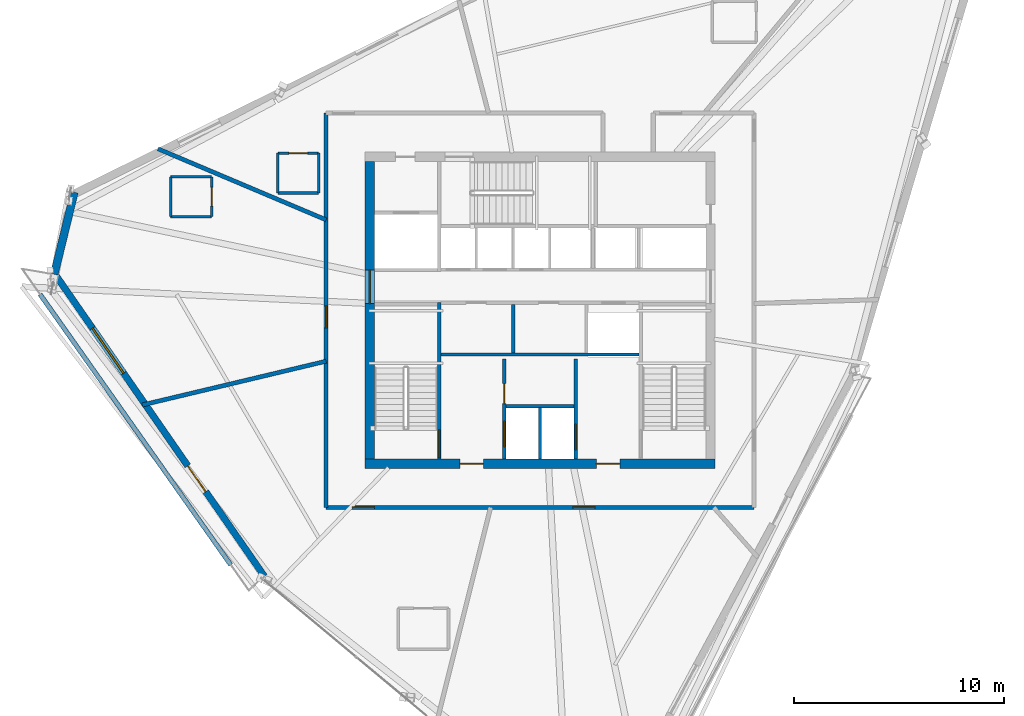
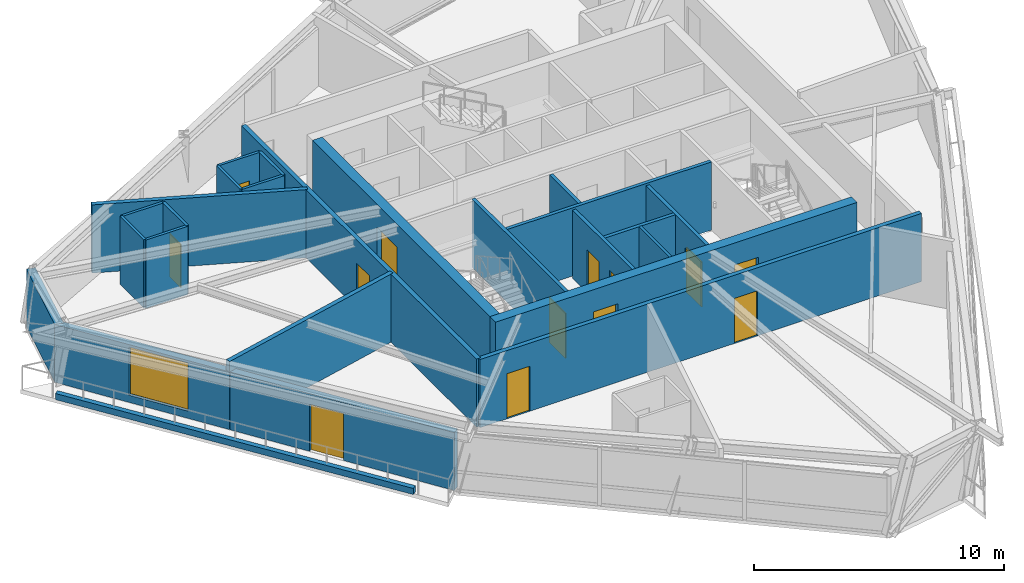
# One storey, part 9 of 14: 24 walls, 13 doors, 1 window, 14 openings.
"""IFC4 building model written with IfcOpenShell, lengths in metres."""

import ifcopenshell
import ifcopenshell.guid

model = None  # the IFC model being written
_history = None  # IfcOwnerHistory: only IFC2X3 demands one
_inside = {}  # id of a spatial element -> (the spatial element, [elements in it])
_under = {}  # id of a project, library or spatial element -> (it, [spatial elements below it])
_declared = {}  # id of a project -> (the project, [libraries it declares])
_typed = {}  # id of a type object -> (the type object, [elements of that type])
_made_of = {}  # id of a material, layer set ... -> (it, [elements and type objects made of it])


def new_model(schema):
    """Start an empty IFC model of exactly this schema.

    Asked for "IFC4X3", IfcOpenShell would pick the latest addendum, in which some entities
    have other attributes; the version numbers below select the first issue.
    IFC2X3 requires an IfcOwnerHistory on every rooted entity: one is made here for all.
    """
    global model, _history
    if schema == "IFC4X3":
        model = ifcopenshell.file(schema_version=(4, 3, 0, 0))
    else:
        model = ifcopenshell.file(schema=schema)
    _inside.clear()
    _under.clear()
    _declared.clear()
    _typed.clear()
    _made_of.clear()
    _history = None
    if model.schema == "IFC2X3":
        org = make("IfcOrganization", Name="unknown")
        user = make(
            "IfcPersonAndOrganization",
            ThePerson=make("IfcPerson", FamilyName="unknown"),
            TheOrganization=org,
        )
        app = make(
            "IfcApplication",
            ApplicationDeveloper=org,
            Version="unknown",
            ApplicationFullName="unknown",
            ApplicationIdentifier="unknown",
        )
        _history = make(
            "IfcOwnerHistory",
            OwningUser=user,
            OwningApplication=app,
            ChangeAction="ADDED",
            CreationDate=0,
        )
    return model


def make(cls, **values):
    """One entity of the class cls with the attributes given. An attribute that is None is left unset."""
    return model.create_entity(
        cls, **{name: value for name, value in values.items() if value is not None}
    )


def rooted(cls, **values):
    """An entity with a GlobalId (a new one), such as an element, a storey or a relation."""
    return make(cls, GlobalId=ifcopenshell.guid.new(), OwnerHistory=_history, **values)


def si_unit(unit_type, name, prefix=None):
    """IfcSIUnit, for example si_unit("LENGTHUNIT", "METRE", prefix="MILLI")."""
    return make("IfcSIUnit", UnitType=unit_type, Prefix=prefix, Name=name)


def assignment(units):
    """IfcUnitAssignment: the units of a project."""
    return None if units is None else make("IfcUnitAssignment", Units=units)


def point(xyz):
    """IfcCartesianPoint."""
    return None if xyz is None else make("IfcCartesianPoint", Coordinates=xyz)


def direction(xyz):
    """IfcDirection."""
    return None if xyz is None else make("IfcDirection", DirectionRatios=xyz)


def frame(location, z_axis=None, x_axis=None):
    """IfcAxis2Placement3D, a coordinate frame: its origin and axes. An axis left out is left unset."""
    return make(
        "IfcAxis2Placement3D",
        Location=point(location),
        Axis=direction(z_axis),
        RefDirection=direction(x_axis),
    )


def frame_2d(location, x_axis=None):
    """IfcAxis2Placement2D, a coordinate frame in the plane: its origin and x axis."""
    return make(
        "IfcAxis2Placement2D", Location=point(location), RefDirection=direction(x_axis)
    )


def origin():
    """The frame at (0, 0, 0) with its axes left unset."""
    return frame((0.0, 0.0, 0.0))


def place(relative_to, where):
    """IfcLocalPlacement: puts the frame where relative to a parent placement (None: the world)."""
    return make(
        "IfcLocalPlacement", PlacementRelTo=relative_to, RelativePlacement=where
    )


def context(
    kind, dimensions, precision=None, world=None, true_north=None, identifier=None
):
    """IfcGeometricRepresentationContext, for example the 3D "Model" context."""
    return make(
        "IfcGeometricRepresentationContext",
        ContextIdentifier=identifier,
        ContextType=kind,
        CoordinateSpaceDimension=dimensions,
        Precision=precision,
        WorldCoordinateSystem=world,
        TrueNorth=true_north,
    )


def subcontext(parent, identifier, kind, view, scale=None):
    """IfcGeometricRepresentationSubContext, for example "Body" below "Model"."""
    return make(
        "IfcGeometricRepresentationSubContext",
        ContextIdentifier=identifier,
        ContextType=kind,
        ParentContext=parent,
        TargetScale=scale,
        TargetView=view,
    )


def project(units=None, contexts=None):
    """IfcProject with its units and contexts."""
    return rooted(
        "IfcProject",
        Name="project",
        RepresentationContexts=contexts,
        UnitsInContext=assignment(units),
    )


def spatial(cls, under=None, at=None, **own):
    """A site, building, storey or space (cls), placed at a placement, below another one or the project."""
    s = rooted(cls, ObjectPlacement=at, **own)
    if under is not None:
        _under.setdefault(under.id(), (under, []))[1].append(s)
    return s


def profile(cls, at=None, kind="AREA", **sizes):
    """A parametric profile (cls). Its sizes go by their IFC names, for example OverallWidth=200.0."""
    return make(cls, ProfileType=kind, Position=at, **sizes)


def rectangle(**sizes):
    """IfcRectangleProfileDef."""
    return profile("IfcRectangleProfileDef", **sizes)


def extrude(swept, where, along, depth):
    """IfcExtrudedAreaSolid: the profile swept, set in the frame where, extruded along a direction by depth."""
    return make(
        "IfcExtrudedAreaSolid",
        SweptArea=swept,
        Position=where,
        ExtrudedDirection=direction(along),
        Depth=depth,
    )


def shape(context_of_items, identifier, shape_type, items):
    """IfcShapeRepresentation: the items that make up one representation, for example the "Body"."""
    return make(
        "IfcShapeRepresentation",
        ContextOfItems=context_of_items,
        RepresentationIdentifier=identifier,
        RepresentationType=shape_type,
        Items=items,
    )


def source(mapping_origin, context_of_items, identifier, shape_type, items):
    """IfcRepresentationMap: a shape defined once, which mapped items show again and again."""
    return make(
        "IfcRepresentationMap",
        MappingOrigin=mapping_origin,
        MappedRepresentation=shape(context_of_items, identifier, shape_type, items),
    )


def transform(
    local_origin,
    x_axis=None,
    y_axis=None,
    z_axis=None,
    scale=None,
    scale2=None,
    scale3=None,
    uniform=True,
):
    """IfcCartesianTransformationOperator3D, or its non-uniform kind. x_axis, y_axis, z_axis: its Axis1, 2, 3."""
    if uniform:
        return make(
            "IfcCartesianTransformationOperator3D",
            Axis1=direction(x_axis),
            Axis2=direction(y_axis),
            LocalOrigin=point(local_origin),
            Scale=scale,
            Axis3=direction(z_axis),
        )
    return make(
        "IfcCartesianTransformationOperator3DnonUniform",
        Axis1=direction(x_axis),
        Axis2=direction(y_axis),
        LocalOrigin=point(local_origin),
        Scale=scale,
        Axis3=direction(z_axis),
        Scale2=scale2,
        Scale3=scale3,
    )


def mapped(mapping_source, mapping_target):
    """IfcMappedItem: shows the shape of a source again, moved by a transform."""
    return make(
        "IfcMappedItem", MappingSource=mapping_source, MappingTarget=mapping_target
    )


def material(Name=None, Category=None):
    """IfcMaterial."""
    return make("IfcMaterial", Name=Name, Category=Category)


def layer(
    of_material, thickness, ventilated=None, Name=None, Category=None, Priority=None
):
    """IfcMaterialLayer: one layer of a wall or slab, of a material (None: an air gap)."""
    return make(
        "IfcMaterialLayer",
        Material=of_material,
        LayerThickness=thickness,
        IsVentilated=ventilated,
        Name=Name,
        Category=Category,
        Priority=Priority,
    )


def layer_set(layers, Name=None):
    """IfcMaterialLayerSet."""
    return make("IfcMaterialLayerSet", MaterialLayers=layers, LayerSetName=Name)


def made_of(thing, what):
    """Note that an element or type object is made of a material, layer set ...; save() writes the relation."""
    if what is not None:
        _made_of.setdefault(what.id(), (what, []))[1].append(thing)
    return thing


def type_object(cls, material=None, **own):
    """A type object (cls), such as IfcWallType, which elements share."""
    return made_of(rooted(cls, **own), material)


def type_shapes(of_type, sources):
    """Give a type object the sources (RepresentationMaps) that its elements show as mapped items."""
    of_type.RepresentationMaps = sources


def element(
    cls,
    number,
    at=None,
    inside=None,
    cuts=None,
    type_object=None,
    material=None,
    context=None,
    identifier="Body",
    shape_type=None,
    held_by="IfcProductDefinitionShape",
    body=None,
    shapes=None,
    **own,
):
    """One element of the class cls, such as IfcWall. Its Tag is "e" and its number.

    at: its placement. inside: the storey or other place that contains it. cuts: it is an
    opening in that element (IfcRelVoidsElement). A single representation is given by context,
    identifier, shape_type and body (its items); several are given by shapes. held_by: the class
    of the entity that holds the representations. save() writes the other relations.
    """
    e = rooted(cls, Tag="e%d" % number, ObjectPlacement=at, **own)
    if body is not None:
        shapes = [shape(context, identifier, shape_type, body)]
    if shapes is not None:
        e.Representation = make(held_by, Representations=shapes)
    if inside is not None:
        _inside.setdefault(inside.id(), (inside, []))[1].append(e)
    if cuts is not None:
        rooted(
            "IfcRelVoidsElement", RelatingBuildingElement=cuts, RelatedOpeningElement=e
        )
    if type_object is not None:
        _typed.setdefault(type_object.id(), (type_object, []))[1].append(e)
    return made_of(e, material)


def fill(opening, filler):
    """IfcRelFillsElement: the door or window that sits in an opening."""
    return rooted(
        "IfcRelFillsElement",
        RelatingOpeningElement=opening,
        RelatedBuildingElement=filler,
    )


def aggregate(whole, parts):
    """IfcRelAggregates: a whole, such as a stair, and the parts it consists of."""
    return rooted("IfcRelAggregates", RelatingObject=whole, RelatedObjects=parts)


def save(model, path):
    """Write the relations noted so far, then the file.

    IfcRelAggregates (storeys below a building ...), IfcRelContainedInSpatialStructure (elements
    in a storey), IfcRelDefinesByType, IfcRelAssociatesMaterial and IfcRelDeclares: one each for
    every whole, place, type object, material and project.
    """
    for whole, parts in _under.values():
        aggregate(whole, parts)
    for where, things in _inside.values():
        rooted(
            "IfcRelContainedInSpatialStructure",
            RelatedElements=things,
            RelatingStructure=where,
        )
    for kind, things in _typed.values():
        rooted("IfcRelDefinesByType", RelatedObjects=things, RelatingType=kind)
    for what, things in _made_of.values():
        rooted("IfcRelAssociatesMaterial", RelatedObjects=things, RelatingMaterial=what)
    for by, libraries in _declared.values():
        rooted("IfcRelDeclares", RelatingContext=by, RelatedDefinitions=libraries)
    model.write(path)


model = new_model("IFC4")

# Units and contexts
model_context = context("Model", 3, precision=1e-05, world=origin(), true_north=direction((0.0, 1.0)))
body_context = subcontext(model_context, "Body", "Model", "MODEL_VIEW")
ifc_project = project(units=[si_unit("LENGTHUNIT", "METRE"), si_unit("AREAUNIT", "SQUARE_METRE"), si_unit("VOLUMEUNIT", "CUBIC_METRE"), si_unit("PLANEANGLEUNIT", "RADIAN"), si_unit("MASSUNIT", "GRAM", prefix="KILO")], contexts=[model_context])

# Site, building, storey
site_placement = place(None, origin())
site = spatial("IfcSite", under=ifc_project, at=site_placement, CompositionType="ELEMENT")
building_placement = place(site_placement, origin())
building = spatial("IfcBuilding", under=site, at=building_placement, Name="Olszyna Solenne Hotel", CompositionType="ELEMENT")
storey_placement = place(building_placement, frame((0.0, 0.0, 220.25)))
storey = spatial("IfcBuildingStorey", under=building, at=storey_placement, Name="L58", CompositionType="ELEMENT", Elevation=220.25)

# Wall, openings, doors
ifc_material_1 = material(Name="Concrete C50/60", Category="concrete")
ifc_layer_1 = layer(ifc_material_1, 0.449951171875, Name="Concrete C50/60")
ifc_layer_set_1 = layer_set([ifc_layer_1], Name="Concrete C50/60")
wall_type_1 = type_object("IfcWallType", Name="WL-CR450", PredefinedType="SHEAR", material=ifc_layer_set_1)
wall_1_placement = place(storey_placement, frame((46.35009765625, 19.27490234375, 0.0), z_axis=(0.0, 0.0, 1.0), x_axis=(-1.0, 0.0, 0.0)))
wall_1 = element("IfcWall", 1, at=wall_1_placement, inside=storey, type_object=wall_type_1, Name="Core shear wall WL-CR450 CRW-L58-S", PredefinedType="SHEAR", context=body_context, shape_type="SweptSolid", body=[
    extrude(rectangle(XDim=16.7001953125, YDim=0.449951171875, at=frame_2d((8.35009765625, 0.0))), origin(), (0.0, 0.0, 1.0), 3.330078125),
])
opening_1_placement = place(wall_1_placement, frame((4.550048828125, 0.0, 0.0)))
opening_1 = element("IfcOpeningElement", 2, at=opening_1_placement, cuts=wall_1, Name="Opening FL-L58-1", PredefinedType="OPENING", context=body_context, shape_type="SweptSolid", body=[
    extrude(rectangle(XDim=1.1201171875, YDim=2.25, at=frame_2d((0.56005859375, 1.125))), frame((0.0, 0.23486328125, 0.0), z_axis=(0.0, -1.0, 0.0), x_axis=(1.0, 0.0, 0.0)), (0.0, 0.0, 1.0), 0.469970703125),
])
opening_2_placement = place(wall_1_placement, frame((11.050048828125, 0.0, 0.0)))
opening_2 = element("IfcOpeningElement", 3, at=opening_2_placement, cuts=wall_1, Name="Opening FL-L58-2", PredefinedType="OPENING", context=body_context, shape_type="SweptSolid", body=[
    extrude(rectangle(XDim=1.1201171875, YDim=2.25, at=frame_2d((0.56005859375, 1.125))), frame((0.0, 0.23486328125, 0.0), z_axis=(0.0, -1.0, 0.0), x_axis=(1.0, 0.0, 0.0)), (0.0, 0.0, 1.0), 0.469970703125),
])
ifc_material_2 = material(Name="Steel S355J2", Category="steel")
door_type_1 = type_object("IfcDoorType", Name="DR-FL1", OperationType="NOTDEFINED", PredefinedType="DOOR", material=ifc_material_2)
shared_shape_1 = source(origin(), body_context, "Body", "SweptSolid", [
    extrude(rectangle(XDim=1.1201171875, YDim=2.25, at=frame_2d((0.56005859375, 1.125))), frame((0.0, 0.02490234375, 0.0), z_axis=(0.0, -1.0, 0.0), x_axis=(1.0, 0.0, 0.0)), (0.0, 0.0, 1.0), 0.050048828125),
])
type_shapes(door_type_1, [shared_shape_1])
door_1_placement = place(opening_1_placement, origin())
door_1 = element("IfcDoor", 4, at=door_1_placement, inside=storey, type_object=door_type_1, Name="Firefighting lift lobby smoke door FL-L58-1", OperationType="SINGLE_SWING_LEFT", OverallHeight=2.25, OverallWidth=1.1201171875, PredefinedType="DOOR", context=body_context, shape_type="MappedRepresentation", body=[
    mapped(shared_shape_1, transform((0.0, 0.0, 0.0), x_axis=(1.0, 0.0, 0.0), y_axis=(0.0, 1.0, 0.0), z_axis=(0.0, 0.0, 1.0), scale=1.0)),
])
fill(opening_1, door_1)
door_2_placement = place(opening_2_placement, origin())
door_2 = element("IfcDoor", 5, at=door_2_placement, inside=storey, type_object=door_type_1, Name="Firefighting lift lobby smoke door FL-L58-2", OperationType="SINGLE_SWING_RIGHT", OverallHeight=2.25, OverallWidth=1.1201171875, PredefinedType="DOOR", context=body_context, shape_type="MappedRepresentation", body=[
    mapped(shared_shape_1, transform((0.0, 0.0, 0.0), x_axis=(1.0, 0.0, 0.0), y_axis=(0.0, 1.0, 0.0), z_axis=(0.0, 0.0, 1.0), scale=1.0)),
])
fill(opening_2, door_2)

# Wall, opening, door
wall_2_placement = place(storey_placement, frame((29.875, 19.5, 0.0), z_axis=(0.0, 0.0, 1.0), x_axis=(0.0, 1.0, 0.0)))
wall_2 = element("IfcWall", 6, at=wall_2_placement, inside=storey, type_object=wall_type_1, Name="Core shear wall WL-CR450 CRW-L58-W", PredefinedType="SHEAR", context=body_context, shape_type="SweptSolid", body=[
    extrude(rectangle(XDim=14.199951171875, YDim=0.449951171875, at=frame_2d((7.10009765625, 0.0))), origin(), (0.0, 0.0, 1.0), 3.330078125),
])
opening_3_placement = place(wall_2_placement, frame((7.419921875, 0.0, 0.0)))
opening_3 = element("IfcOpeningElement", 7, at=opening_3_placement, cuts=wall_2, Name="Opening LHD-L58-W", PredefinedType="OPENING", context=body_context, shape_type="SweptSolid", body=[
    extrude(rectangle(XDim=1.60009765625, YDim=2.199951171875, at=frame_2d((0.800048828125, 1.10009765625))), frame((0.0, 0.23486328125, 0.0), z_axis=(0.0, -1.0, 0.0), x_axis=(1.0, 0.0, 0.0)), (0.0, 0.0, 1.0), 0.469970703125),
])
ifc_material_3 = material(Name="Timber hardwood", Category="wood")
door_type_2 = type_object("IfcDoorType", Name="DR-CR1", OperationType="DOUBLE_DOOR_SINGLE_SWING", PredefinedType="DOOR", material=ifc_material_3)
shared_shape_2 = source(origin(), body_context, "Body", "SweptSolid", [
    extrude(rectangle(XDim=1.60009765625, YDim=2.199951171875, at=frame_2d((0.800048828125, 1.10009765625))), frame((0.0, 0.02490234375, 0.0), z_axis=(0.0, -1.0, 0.0), x_axis=(1.0, 0.0, 0.0)), (0.0, 0.0, 1.0), 0.050048828125),
])
type_shapes(door_type_2, [shared_shape_2])
door_3_placement = place(opening_3_placement, origin())
door_3 = element("IfcDoor", 8, at=door_3_placement, inside=storey, type_object=door_type_2, Name="Passenger lift lobby West fire door LHD-L58-W", OperationType="DOUBLE_DOOR_SINGLE_SWING", OverallHeight=2.199951171875, OverallWidth=1.60009765625, PredefinedType="DOOR", context=body_context, shape_type="MappedRepresentation", body=[
    mapped(shared_shape_2, transform((0.0, 0.0, 0.0), x_axis=(1.0, 0.0, 0.0), y_axis=(0.0, 1.0, 0.0), z_axis=(0.0, 0.0, 1.0), scale=1.0)),
])
fill(opening_3, door_3)

# Wall, openings, door, window
ifc_material_4 = material(Name="Precast concrete C45/55", Category="concrete")
ifc_layer_2 = layer(ifc_material_4, 0.320068359375, Name="Precast concrete C45/55")
ifc_layer_set_2 = layer_set([ifc_layer_2], Name="Precast concrete C45/55")
wall_type_2 = type_object("IfcWallType", Name="WL-EX320", PredefinedType="SOLIDWALL", material=ifc_layer_set_2)
wall_3_placement = place(storey_placement, frame((24.857177734375, 13.914306640625, 0.0), z_axis=(0.0, 0.0, 1.0), x_axis=(-0.569497917595, 0.821992774819, 0.0)))
wall_3 = element("IfcWall", 9, at=wall_3_placement, inside=storey, type_object=wall_type_2, Name="Exterior terracotta-precast frame wall WL-EX320 EW-L58-04", PredefinedType="SOLIDWALL", context=body_context, shape_type="SweptSolid", body=[
    extrude(rectangle(XDim=17.677978515625, YDim=0.320068359375, at=frame_2d((8.8388671875, 0.0))), origin(), (0.0, 0.0, 1.0), 2.822021484375),
])
opening_4_placement = place(wall_3_placement, frame((4.906982421875, 0.0, 0.0)))
opening_4 = element("IfcOpeningElement", 10, at=opening_4_placement, cuts=wall_3, Name="Opening LDG-L58-2", PredefinedType="OPENING", context=body_context, shape_type="SweptSolid", body=[
    extrude(rectangle(XDim=1.5, YDim=2.300048828125, at=frame_2d((0.75, 1.14990234375))), frame((0.0, 0.169921875, 0.0), z_axis=(0.0, -1.0, 0.0), x_axis=(1.0, 0.0, 0.0)), (0.0, 0.0, 1.0), 0.340087890625),
])
opening_5_placement = place(wall_3_placement, frame((11.781982421875, 0.0, 0.35205078125)))
opening_5 = element("IfcOpeningElement", 11, at=opening_5_placement, cuts=wall_3, Name="Opening WN-L58-374", PredefinedType="OPENING", context=body_context, shape_type="SweptSolid", body=[
    extrude(rectangle(XDim=2.60009765625, YDim=2.35009765625, at=frame_2d((1.300048828125, 1.175048828125))), frame((0.0, 0.169921875, 0.0), z_axis=(0.0, -1.0, 0.0), x_axis=(1.0, 0.0, 0.0)), (0.0, 0.0, 1.0), 0.340087890625),
])
ifc_material_5 = material(Name="Anodised bronze aluminium", Category="aluminium")
door_type_3 = type_object("IfcDoorType", Name="DR-LG2", OperationType="DOUBLE_DOOR_SINGLE_SWING", PredefinedType="DOOR", material=ifc_material_5)
shared_shape_3 = source(origin(), body_context, "Body", "SweptSolid", [
    extrude(rectangle(XDim=1.5, YDim=2.300048828125, at=frame_2d((0.75, 1.14990234375))), frame((0.0, 0.02490234375, 0.0), z_axis=(0.0, -1.0, 0.0), x_axis=(1.0, 0.0, 0.0)), (0.0, 0.0, 1.0), 0.050048828125),
])
type_shapes(door_type_3, [shared_shape_3])
door_4_placement = place(opening_4_placement, origin())
door_4 = element("IfcDoor", 12, at=door_4_placement, inside=storey, type_object=door_type_3, Name="Exterior loggia balcony door DR-LG2 LDG-L58-2", OperationType="DOUBLE_DOOR_SINGLE_SWING", OverallHeight=2.300048828125, OverallWidth=1.5, PredefinedType="DOOR", context=body_context, shape_type="MappedRepresentation", body=[
    mapped(shared_shape_3, transform((0.0, 0.0, 0.0), x_axis=(1.0, 0.0, 0.0), y_axis=(0.0, 1.0, 0.0), z_axis=(0.0, 0.0, 1.0), scale=1.0)),
])
fill(opening_4, door_4)
ifc_material_6 = material(Name="Low-E triple glazing", Category="glass")
window_type = type_object("IfcWindowType", Name="WN-ST1", PartitioningType="SINGLE_PANEL", PredefinedType="WINDOW", material=ifc_material_6)
shared_shape_4 = source(origin(), body_context, "Body", "SweptSolid", [
    extrude(rectangle(XDim=2.60009765625, YDim=2.35009765625, at=frame_2d((1.300048828125, 1.175048828125))), frame((0.0, 0.030029296875, 0.0), z_axis=(0.0, -1.0, 0.0), x_axis=(1.0, 0.0, 0.0)), (0.0, 0.0, 1.0), 0.06005859375),
])
type_shapes(window_type, [shared_shape_4])
window_placement = place(opening_5_placement, origin())
window = element("IfcWindow", 13, at=window_placement, inside=storey, type_object=window_type, Name="Loggia room window WN-ST1 WN-L58-374", OverallHeight=2.35009765625, OverallWidth=2.60009765625, PartitioningType="SINGLE_PANEL", PredefinedType="WINDOW", context=body_context, shape_type="MappedRepresentation", body=[
    mapped(shared_shape_4, transform((0.0, 0.0, 0.0), x_axis=(1.0, 0.0, 0.0), y_axis=(0.0, 1.0, 0.0), z_axis=(0.0, 0.0, 1.0), scale=1.0)),
])
fill(opening_5, window)

# Walls
ifc_material_7 = material(Name="Terracotta cladding on precast concrete C45/55", Category="masonry")
ifc_layer_3 = layer(ifc_material_7, 0.3798828125, Name="Terracotta cladding on precast concrete C45/55")
ifc_layer_set_3 = layer_set([ifc_layer_3], Name="Terracotta cladding on precast concrete C45/55")
wall_type_3 = type_object("IfcWallType", Name="WL-EX380", PredefinedType="SOLIDWALL", material=ifc_layer_set_3)
wall_4_placement = place(storey_placement, frame((14.842529296875, 28.3095703125, 0.0), z_axis=(0.0, 0.0, 1.0), x_axis=(0.236815318431, 0.971554684491, 0.0)))
element("IfcWall", 14, at=wall_4_placement, inside=storey, type_object=wall_type_3, Name="Exterior terracotta-precast frame wall WL-EX380 EW-L58-05", PredefinedType="SOLIDWALL", context=body_context, shape_type="SweptSolid", body=[
    extrude(rectangle(XDim=4.030029296875, YDim=0.3798828125, at=frame_2d((2.01513671875, 0.0))), origin(), (0.0, 0.0, 1.0), 2.822021484375),
])
ifc_layer_4 = layer(ifc_material_4, 0.219970703125, Name="Precast concrete C45/55")
ifc_layer_set_4 = layer_set([ifc_layer_4], Name="Precast concrete C45/55")
wall_type_4 = type_object("IfcWallType", Name="WL-PR220", PredefinedType="PARAPET", material=ifc_layer_set_4)
wall_5_placement = place(storey_placement, frame((14.164306640625, 27.359375, 0.0), z_axis=(0.0, 0.0, 1.0), x_axis=(0.576040252734, -0.817421327854, 0.0)))
element("IfcWall", 15, at=wall_5_placement, inside=storey, type_object=wall_type_4, Name="Loggia balcony precast kerb PR-L58-LG2", PredefinedType="PARAPET", context=body_context, shape_type="SweptSolid", body=[
    extrude(rectangle(XDim=15.77734375, YDim=0.219970703125, at=frame_2d((7.888671875, 0.0))), origin(), (0.0, 0.0, 1.0), 0.300048828125),
])
ifc_material_8 = material(Name="Acoustic gypsum partition", Category="gypsum")
ifc_layer_5 = layer(ifc_material_8, 0.125, Name="Acoustic gypsum partition")
ifc_layer_set_5 = layer_set([ifc_layer_5], Name="Acoustic gypsum partition")
wall_type_5 = type_object("IfcWallType", Name="WL-PT125", PredefinedType="PARTITIONING", material=ifc_layer_set_5)
wall_6_placement = place(storey_placement, frame((38.0, 19.5, 0.0), z_axis=(0.0, 0.0, 1.0), x_axis=(0.0, 1.0, 0.0)))
element("IfcWall", 16, at=wall_6_placement, inside=storey, type_object=wall_type_5, Name="Core shaft compartment wall CW-L58-FFM", PredefinedType="PARTITIONING", context=body_context, shape_type="SweptSolid", body=[
    extrude(rectangle(XDim=2.4599609375, YDim=0.125, at=frame_2d((1.22998046875, 0.0))), origin(), (0.0, 0.0, 1.0), 3.330078125),
])
wall_7_placement = place(storey_placement, frame((27.447021484375, 32.18798828125, 0.0), z_axis=(0.0, 0.0, 1.0), x_axis=(0.0, 1.0, 0.0)))
element("IfcWall", 17, at=wall_7_placement, inside=storey, type_object=wall_type_5, Name="Interior acoustic partition WL-PT125 PW-L58-3237", PredefinedType="PARTITIONING", context=body_context, shape_type="SweptSolid", body=[
    extrude(rectangle(XDim=1.89990234375, YDim=0.125, at=frame_2d((0.949951171875, 0.0))), origin(), (0.0, 0.0, 1.0), 3.330078125),
])

# Wall, opening, door
wall_8_placement = place(storey_placement, frame((27.447021484375, 34.087890625, 0.0), z_axis=(0.0, 0.0, 1.0), x_axis=(-1.0, 0.0, 0.0)))
wall_8 = element("IfcWall", 18, at=wall_8_placement, inside=storey, type_object=wall_type_5, Name="Interior acoustic partition WL-PT125 PW-L58-3238", PredefinedType="PARTITIONING", context=body_context, shape_type="SweptSolid", body=[
    extrude(rectangle(XDim=1.949951171875, YDim=0.125, at=frame_2d((0.97509765625, 0.0))), origin(), (0.0, 0.0, 1.0), 3.330078125),
])
opening_6_placement = place(wall_8_placement, frame((0.52490234375, 0.0, 0.0)))
opening_6 = element("IfcOpeningElement", 19, at=opening_6_placement, cuts=wall_8, Name="Opening DR-L58-0784", PredefinedType="OPENING", context=body_context, shape_type="SweptSolid", body=[
    extrude(rectangle(XDim=0.89990234375, YDim=2.10009765625, at=frame_2d((0.449951171875, 1.050048828125))), frame((0.0, 0.072509765625, 0.0), z_axis=(0.0, -1.0, 0.0), x_axis=(1.0, 0.0, 0.0)), (0.0, 0.0, 1.0), 0.14501953125),
])
door_type_4 = type_object("IfcDoorType", Name="DR-WC1", OperationType="NOTDEFINED", PredefinedType="DOOR", material=ifc_material_3)
shared_shape_5 = source(origin(), body_context, "Body", "SweptSolid", [
    extrude(rectangle(XDim=0.89990234375, YDim=2.10009765625, at=frame_2d((0.449951171875, 1.050048828125))), frame((0.0, 0.02490234375, 0.0), z_axis=(0.0, -1.0, 0.0), x_axis=(1.0, 0.0, 0.0)), (0.0, 0.0, 1.0), 0.050048828125),
])
type_shapes(door_type_4, [shared_shape_5])
door_5_placement = place(opening_6_placement, origin())
door_5 = element("IfcDoor", 20, at=door_5_placement, inside=storey, type_object=door_type_4, Name="En-Suite Bathroom Door DR-L58-0784", OperationType="SINGLE_SWING_RIGHT", OverallHeight=2.10009765625, OverallWidth=0.89990234375, PredefinedType="DOOR", context=body_context, shape_type="MappedRepresentation", body=[
    mapped(shared_shape_5, transform((0.0, 0.0, 0.0), x_axis=(1.0, 0.0, 0.0), y_axis=(0.0, 1.0, 0.0), z_axis=(0.0, 0.0, 1.0), scale=1.0)),
])
fill(opening_6, door_5)

# Walls
wall_9_placement = place(storey_placement, frame((25.4970703125, 34.087890625, 0.0), z_axis=(0.0, 0.0, 1.0), x_axis=(0.0, -1.0, 0.0)))
element("IfcWall", 21, at=wall_9_placement, inside=storey, type_object=wall_type_5, Name="Interior acoustic partition WL-PT125 PW-L58-3239", PredefinedType="PARTITIONING", context=body_context, shape_type="SweptSolid", body=[
    extrude(rectangle(XDim=1.89990234375, YDim=0.125, at=frame_2d((0.949951171875, 0.0))), origin(), (0.0, 0.0, 1.0), 3.330078125),
])
wall_10_placement = place(storey_placement, frame((25.4970703125, 32.18798828125, 0.0), z_axis=(0.0, 0.0, 1.0), x_axis=(1.0, 0.0, 0.0)))
element("IfcWall", 22, at=wall_10_placement, inside=storey, type_object=wall_type_5, Name="Interior acoustic partition WL-PT125 PW-L58-3240", PredefinedType="PARTITIONING", context=body_context, shape_type="SweptSolid", body=[
    extrude(rectangle(XDim=1.949951171875, YDim=0.125, at=frame_2d((0.97509765625, 0.0))), origin(), (0.0, 0.0, 1.0), 3.330078125),
])

# Wall, opening, door
wall_11_placement = place(storey_placement, frame((22.343994140625, 31.056884765625, 0.0), z_axis=(0.0, 0.0, 1.0), x_axis=(0.0, 1.0, 0.0)))
wall_11 = element("IfcWall", 23, at=wall_11_placement, inside=storey, type_object=wall_type_5, Name="Interior acoustic partition WL-PT125 PW-L58-3241", PredefinedType="PARTITIONING", context=body_context, shape_type="SweptSolid", body=[
    extrude(rectangle(XDim=1.900146484375, YDim=0.125, at=frame_2d((0.9501953125, 0.0))), origin(), (0.0, 0.0, 1.0), 3.330078125),
])
opening_7_placement = place(wall_11_placement, frame((0.5, 0.0, 0.0)))
opening_7 = element("IfcOpeningElement", 24, at=opening_7_placement, cuts=wall_11, Name="Opening DR-L58-0785", PredefinedType="OPENING", context=body_context, shape_type="SweptSolid", body=[
    extrude(rectangle(XDim=0.89990234375, YDim=2.10009765625, at=frame_2d((0.449951171875, 1.050048828125))), frame((0.0, 0.072509765625, 0.0), z_axis=(0.0, -1.0, 0.0), x_axis=(1.0, 0.0, 0.0)), (0.0, 0.0, 1.0), 0.14501953125),
])
door_6_placement = place(opening_7_placement, origin())
door_6 = element("IfcDoor", 25, at=door_6_placement, inside=storey, type_object=door_type_4, Name="En-Suite Bathroom Door DR-L58-0785", OperationType="SINGLE_SWING_LEFT", OverallHeight=2.10009765625, OverallWidth=0.89990234375, PredefinedType="DOOR", context=body_context, shape_type="MappedRepresentation", body=[
    mapped(shared_shape_5, transform((0.0, 0.0, 0.0), x_axis=(1.0, 0.0, 0.0), y_axis=(0.0, 1.0, 0.0), z_axis=(0.0, 0.0, 1.0), scale=1.0)),
])
fill(opening_7, door_6)

# Walls
wall_12_placement = place(storey_placement, frame((22.343994140625, 32.95703125, 0.0), z_axis=(0.0, 0.0, 1.0), x_axis=(-1.0, 0.0, 0.0)))
element("IfcWall", 26, at=wall_12_placement, inside=storey, type_object=wall_type_5, Name="Interior acoustic partition WL-PT125 PW-L58-3242", PredefinedType="PARTITIONING", context=body_context, shape_type="SweptSolid", body=[
    extrude(rectangle(XDim=1.949951171875, YDim=0.125, at=frame_2d((0.97509765625, 0.0))), origin(), (0.0, 0.0, 1.0), 3.330078125),
])
wall_13_placement = place(storey_placement, frame((20.39404296875, 32.95703125, 0.0), z_axis=(0.0, 0.0, 1.0), x_axis=(0.0, -1.0, 0.0)))
element("IfcWall", 27, at=wall_13_placement, inside=storey, type_object=wall_type_5, Name="Interior acoustic partition WL-PT125 PW-L58-3243", PredefinedType="PARTITIONING", context=body_context, shape_type="SweptSolid", body=[
    extrude(rectangle(XDim=1.900146484375, YDim=0.125, at=frame_2d((0.9501953125, 0.0))), origin(), (0.0, 0.0, 1.0), 3.330078125),
])
wall_14_placement = place(storey_placement, frame((20.39404296875, 31.056884765625, 0.0), z_axis=(0.0, 0.0, 1.0), x_axis=(1.0, 0.0, 0.0)))
element("IfcWall", 28, at=wall_14_placement, inside=storey, type_object=wall_type_5, Name="Interior acoustic partition WL-PT125 PW-L58-3244", PredefinedType="PARTITIONING", context=body_context, shape_type="SweptSolid", body=[
    extrude(rectangle(XDim=1.949951171875, YDim=0.125, at=frame_2d((0.97509765625, 0.0))), origin(), (0.0, 0.0, 1.0), 3.330078125),
])

# Wall, opening, door
ifc_layer_6 = layer(ifc_material_8, 0.159912109375, Name="Acoustic gypsum partition")
ifc_layer_set_6 = layer_set([ifc_layer_6], Name="Acoustic gypsum partition")
wall_type_6 = type_object("IfcWallType", Name="WL-PT160", PredefinedType="PARTITIONING", material=ifc_layer_set_6)
wall_15_placement = place(storey_placement, frame((33.199951171875, 19.5, 0.0), z_axis=(0.0, 0.0, 1.0), x_axis=(0.0, 1.0, 0.0)))
wall_15 = element("IfcWall", 29, at=wall_15_placement, inside=storey, type_object=wall_type_6, Name="Core shaft compartment wall CW-L58-ST1E", PredefinedType="PARTITIONING", context=body_context, shape_type="SweptSolid", body=[
    extrude(rectangle(XDim=7.4599609375, YDim=0.159912109375, at=frame_2d((3.72998046875, 0.0))), origin(), (0.0, 0.0, 1.0), 3.330078125),
])
opening_8_placement = place(wall_15_placement, frame((0.080078125, 0.0, 0.0)))
opening_8 = element("IfcOpeningElement", 30, at=opening_8_placement, cuts=wall_15, Name="Opening STD-L58-01", PredefinedType="OPENING", context=body_context, shape_type="SweptSolid", body=[
    extrude(rectangle(XDim=1.320068359375, YDim=2.199951171875, at=frame_2d((0.66015625, 1.10009765625))), frame((0.0, 0.08984375, 0.0), z_axis=(0.0, -1.0, 0.0), x_axis=(1.0, 0.0, 0.0)), (0.0, 0.0, 1.0), 0.179931640625),
])
door_type_5 = type_object("IfcDoorType", Name="DR-ST1", OperationType="NOTDEFINED", PredefinedType="DOOR", material=ifc_material_2)
shared_shape_6 = source(origin(), body_context, "Body", "SweptSolid", [
    extrude(rectangle(XDim=1.320068359375, YDim=2.199951171875, at=frame_2d((0.66015625, 1.10009765625))), frame((0.0, 0.02490234375, 0.0), z_axis=(0.0, -1.0, 0.0), x_axis=(1.0, 0.0, 0.0)), (0.0, 0.0, 1.0), 0.050048828125),
])
type_shapes(door_type_5, [shared_shape_6])
door_7_placement = place(opening_8_placement, origin())
door_7 = element("IfcDoor", 31, at=door_7_placement, inside=storey, type_object=door_type_5, Name="Pressurised exit stair ST1 fire door STD-L58-01", OperationType="SINGLE_SWING_LEFT", OverallHeight=2.199951171875, OverallWidth=1.320068359375, PredefinedType="DOOR", context=body_context, shape_type="MappedRepresentation", body=[
    mapped(shared_shape_6, transform((0.0, 0.0, 0.0), x_axis=(1.0, 0.0, 0.0), y_axis=(0.0, 1.0, 0.0), z_axis=(0.0, 0.0, 1.0), scale=1.0)),
])
fill(opening_8, door_7)

# Wall, openings, doors
wall_16_placement = place(storey_placement, frame((36.300048828125, 19.5, 0.0), z_axis=(0.0, 0.0, 1.0), x_axis=(0.0, 1.0, 0.0)))
wall_16 = element("IfcWall", 32, at=wall_16_placement, inside=storey, type_object=wall_type_6, Name="Core shaft compartment wall CW-L58-FF1W", PredefinedType="PARTITIONING", context=body_context, shape_type="SweptSolid", body=[
    extrude(rectangle(XDim=4.780029296875, YDim=0.159912109375, at=frame_2d((2.39013671875, 0.0))), origin(), (0.0, 0.0, 1.0), 3.330078125),
])
opening_9_placement = place(wall_16_placement, frame((0.60009765625, 0.0, 0.0)))
opening_9 = element("IfcOpeningElement", 33, at=opening_9_placement, cuts=wall_16, Name="Opening LD-L58-FF1", PredefinedType="OPENING", context=body_context, shape_type="SweptSolid", body=[
    extrude(rectangle(XDim=1.199951171875, YDim=2.199951171875, at=frame_2d((0.60009765625, 1.10009765625))), frame((0.0, 0.08984375, 0.0), z_axis=(0.0, -1.0, 0.0), x_axis=(1.0, 0.0, 0.0)), (0.0, 0.0, 1.0), 0.179931640625),
])
opening_10_placement = place(wall_16_placement, frame((2.64990234375, 0.0, 0.0)))
opening_10 = element("IfcOpeningElement", 34, at=opening_10_placement, cuts=wall_16, Name="Opening SVD-L58-SMK", PredefinedType="OPENING", context=body_context, shape_type="SweptSolid", body=[
    extrude(rectangle(XDim=0.949951171875, YDim=2.10009765625, at=frame_2d((0.47509765625, 1.050048828125))), frame((0.0, 0.08984375, 0.0), z_axis=(0.0, -1.0, 0.0), x_axis=(1.0, 0.0, 0.0)), (0.0, 0.0, 1.0), 0.179931640625),
])
door_type_6 = type_object("IfcDoorType", Name="DR-SV1", OperationType="NOTDEFINED", PredefinedType="DOOR", material=ifc_material_2)
shared_shape_7 = source(origin(), body_context, "Body", "SweptSolid", [
    extrude(rectangle(XDim=0.949951171875, YDim=2.10009765625, at=frame_2d((0.47509765625, 1.050048828125))), frame((0.0, 0.02490234375, 0.0), z_axis=(0.0, -1.0, 0.0), x_axis=(1.0, 0.0, 0.0)), (0.0, 0.0, 1.0), 0.050048828125),
])
type_shapes(door_type_6, [shared_shape_7])
door_8_placement = place(opening_10_placement, origin())
door_8 = element("IfcDoor", 35, at=door_8_placement, inside=storey, type_object=door_type_6, Name="Valet and core service room door SVD-L58-SMK", OperationType="SINGLE_SWING_LEFT", OverallHeight=2.10009765625, OverallWidth=0.949951171875, PredefinedType="DOOR", context=body_context, shape_type="MappedRepresentation", body=[
    mapped(shared_shape_7, transform((0.0, 0.0, 0.0), x_axis=(1.0, 0.0, 0.0), y_axis=(0.0, 1.0, 0.0), z_axis=(0.0, 0.0, 1.0), scale=1.0)),
])
fill(opening_10, door_8)
door_type_7 = type_object("IfcDoorType", Name="LD-FF1", OperationType="DOUBLE_DOOR_SLIDING", PredefinedType="DOOR", material=ifc_material_2)
shared_shape_8 = source(origin(), body_context, "Body", "SweptSolid", [
    extrude(rectangle(XDim=1.199951171875, YDim=2.199951171875, at=frame_2d((0.60009765625, 1.10009765625))), frame((0.0, 0.02490234375, 0.0), z_axis=(0.0, -1.0, 0.0), x_axis=(1.0, 0.0, 0.0)), (0.0, 0.0, 1.0), 0.050048828125),
])
type_shapes(door_type_7, [shared_shape_8])
door_9_placement = place(opening_9_placement, origin())
door_9 = element("IfcDoor", 36, at=door_9_placement, inside=storey, type_object=door_type_7, Name="Firefighters lift FF1 sliding landing door LD-L58-FF1", OperationType="DOUBLE_DOOR_SLIDING", OverallHeight=2.199951171875, OverallWidth=1.199951171875, PredefinedType="DOOR", context=body_context, shape_type="MappedRepresentation", body=[
    mapped(shared_shape_8, transform((0.0, 0.0, 0.0), x_axis=(1.0, 0.0, 0.0), y_axis=(0.0, 1.0, 0.0), z_axis=(0.0, 0.0, 1.0), scale=1.0)),
])
fill(opening_9, door_9)

# Wall, opening, door
wall_17_placement = place(storey_placement, frame((39.699951171875, 24.280029296875, 0.0), z_axis=(0.0, 0.0, 1.0), x_axis=(0.0, -1.0, 0.0)))
wall_17 = element("IfcWall", 37, at=wall_17_placement, inside=storey, type_object=wall_type_6, Name="Core shaft compartment wall CW-L58-FF2E", PredefinedType="PARTITIONING", context=body_context, shape_type="SweptSolid", body=[
    extrude(rectangle(XDim=4.780029296875, YDim=0.159912109375, at=frame_2d((2.39013671875, 0.0))), origin(), (0.0, 0.0, 1.0), 3.330078125),
])
opening_11_placement = place(wall_17_placement, frame((3.1201171875, 0.0, 0.0)))
opening_11 = element("IfcOpeningElement", 38, at=opening_11_placement, cuts=wall_17, Name="Opening LD-L58-FF2", PredefinedType="OPENING", context=body_context, shape_type="SweptSolid", body=[
    extrude(rectangle(XDim=1.199951171875, YDim=2.199951171875, at=frame_2d((0.60009765625, 1.10009765625))), frame((0.0, 0.08984375, 0.0), z_axis=(0.0, -1.0, 0.0), x_axis=(1.0, 0.0, 0.0)), (0.0, 0.0, 1.0), 0.179931640625),
])
door_10_placement = place(opening_11_placement, origin())
door_10 = element("IfcDoor", 39, at=door_10_placement, inside=storey, type_object=door_type_7, Name="Firefighters lift FF2 sliding landing door LD-L58-FF2", OperationType="DOUBLE_DOOR_SLIDING", OverallHeight=2.199951171875, OverallWidth=1.199951171875, PredefinedType="DOOR", context=body_context, shape_type="MappedRepresentation", body=[
    mapped(shared_shape_8, transform((0.0, 0.0, 0.0), x_axis=(1.0, 0.0, 0.0), y_axis=(0.0, 1.0, 0.0), z_axis=(0.0, 0.0, 1.0), scale=1.0)),
])
fill(opening_11, door_10)

# Walls
wall_18_placement = place(storey_placement, frame((36.3798828125, 22.02001953125, 0.0), z_axis=(0.0, 0.0, 1.0), x_axis=(1.0, 0.0, 0.0)))
element("IfcWall", 40, at=wall_18_placement, inside=storey, type_object=wall_type_6, Name="Core shaft compartment wall CW-L58-FFN", PredefinedType="PARTITIONING", context=body_context, shape_type="SweptSolid", body=[
    extrude(rectangle(XDim=3.240234375, YDim=0.159912109375, at=frame_2d((1.6201171875, 0.0))), origin(), (0.0, 0.0, 1.0), 3.330078125),
])
wall_19_placement = place(storey_placement, frame((33.280029296875, 24.489990234375, 0.0), z_axis=(0.0, 0.0, 1.0), x_axis=(1.0, 0.0, 0.0)))
element("IfcWall", 41, at=wall_19_placement, inside=storey, type_object=wall_type_6, Name="Core shaft compartment wall CW-L58-FFBN", PredefinedType="PARTITIONING", context=body_context, shape_type="SweptSolid", body=[
    extrude(rectangle(XDim=9.43994140625, YDim=0.159912109375, at=frame_2d((4.719970703125, 0.0))), origin(), (0.0, 0.0, 1.0), 3.330078125),
])
wall_20_placement = place(storey_placement, frame((36.72998046875, 24.56005859375, 0.0), z_axis=(0.0, 0.0, 1.0), x_axis=(0.0, 1.0, 0.0)))
element("IfcWall", 42, at=wall_20_placement, inside=storey, type_object=wall_type_6, Name="Core shaft compartment wall CW-L58-LV7DIV1", PredefinedType="PARTITIONING", context=body_context, shape_type="SweptSolid", body=[
    extrude(rectangle(XDim=2.31005859375, YDim=0.159912109375, at=frame_2d((1.155029296875, 0.0))), origin(), (0.0, 0.0, 1.0), 3.330078125),
])
ifc_layer_7 = layer(ifc_material_8, 0.199951171875, Name="Acoustic gypsum partition")
ifc_layer_set_7 = layer_set([ifc_layer_7], Name="Acoustic gypsum partition")
wall_type_7 = type_object("IfcWallType", Name="WL-PT200", PredefinedType="PARTITIONING", material=ifc_layer_set_7)
wall_21_placement = place(storey_placement, frame((27.800048828125, 24.169921875, 0.0), z_axis=(0.0, 0.0, 1.0), x_axis=(-0.972779156476, -0.231734142339, 0.0)))
element("IfcWall", 43, at=wall_21_placement, inside=storey, type_object=wall_type_7, Name="Interior acoustic partition WL-PT200 PW-L58-3222", PredefinedType="PARTITIONING", context=body_context, shape_type="SweptSolid", body=[
    extrude(rectangle(XDim=9.005615234375, YDim=0.199951171875, at=frame_2d((4.5029296875, 0.0))), origin(), (0.0, 0.0, 1.0), 3.330078125),
])
wall_22_placement = place(storey_placement, frame((27.800048828125, 30.9091796875, 0.0), z_axis=(0.0, 0.0, 1.0), x_axis=(-0.921162801318, 0.389177457553, 0.0)))
element("IfcWall", 44, at=wall_22_placement, inside=storey, type_object=wall_type_7, Name="Interior acoustic partition WL-PT200 PW-L58-3228", PredefinedType="PARTITIONING", context=body_context, shape_type="SweptSolid", body=[
    extrude(rectangle(XDim=8.696533203125, YDim=0.199951171875, at=frame_2d((4.34814453125, 0.0))), origin(), (0.0, 0.0, 1.0), 3.330078125),
])

# Wall, openings, doors
wall_23_placement = place(storey_placement, frame((27.800048828125, 17.199951171875, 0.0), z_axis=(0.0, 0.0, 1.0), x_axis=(1.0, 0.0, 0.0)))
wall_23 = element("IfcWall", 45, at=wall_23_placement, inside=storey, type_object=wall_type_7, Name="Interior acoustic partition WL-PT200 PW-L58-3245", PredefinedType="PARTITIONING", context=body_context, shape_type="SweptSolid", body=[
    extrude(rectangle(XDim=20.39990234375, YDim=0.199951171875, at=frame_2d((10.199951171875, 0.0))), origin(), (0.0, 0.0, 1.0), 3.330078125),
])
opening_12_placement = place(wall_23_placement, frame((1.2548828125, 0.0, 0.0)))
opening_12 = element("IfcOpeningElement", 46, at=opening_12_placement, cuts=wall_23, Name="Opening DR-L58-0786", PredefinedType="OPENING", context=body_context, shape_type="SweptSolid", body=[
    extrude(rectangle(XDim=1.050048828125, YDim=2.199951171875, at=frame_2d((0.52490234375, 1.10009765625))), frame((0.0, 0.10986328125, 0.0), z_axis=(0.0, -1.0, 0.0), x_axis=(1.0, 0.0, 0.0)), (0.0, 0.0, 1.0), 0.219970703125),
])
opening_13_placement = place(wall_23_placement, frame((11.763916015625, 0.0, 0.0)))
opening_13 = element("IfcOpeningElement", 47, at=opening_13_placement, cuts=wall_23, Name="Opening DR-L58-0787", PredefinedType="OPENING", context=body_context, shape_type="SweptSolid", body=[
    extrude(rectangle(XDim=1.050048828125, YDim=2.199951171875, at=frame_2d((0.52490234375, 1.10009765625))), frame((0.0, 0.10986328125, 0.0), z_axis=(0.0, -1.0, 0.0), x_axis=(1.0, 0.0, 0.0)), (0.0, 0.0, 1.0), 0.219970703125),
])
door_type_8 = type_object("IfcDoorType", Name="DR-RM2", OperationType="NOTDEFINED", PredefinedType="DOOR", material=ifc_material_3)
shared_shape_9 = source(origin(), body_context, "Body", "SweptSolid", [
    extrude(rectangle(XDim=1.050048828125, YDim=2.199951171875, at=frame_2d((0.52490234375, 1.10009765625))), frame((0.0, 0.02490234375, 0.0), z_axis=(0.0, -1.0, 0.0), x_axis=(1.0, 0.0, 0.0)), (0.0, 0.0, 1.0), 0.050048828125),
])
type_shapes(door_type_8, [shared_shape_9])
door_11_placement = place(opening_12_placement, origin())
door_11 = element("IfcDoor", 48, at=door_11_placement, inside=storey, type_object=door_type_8, Name="Corner Panorama Suite Entrance Door DR-L58-0786", OperationType="SINGLE_SWING_LEFT", OverallHeight=2.199951171875, OverallWidth=1.050048828125, PredefinedType="DOOR", context=body_context, shape_type="MappedRepresentation", body=[
    mapped(shared_shape_9, transform((0.0, 0.0, 0.0), x_axis=(1.0, 0.0, 0.0), y_axis=(0.0, 1.0, 0.0), z_axis=(0.0, 0.0, 1.0), scale=1.0)),
])
fill(opening_12, door_11)
door_12_placement = place(opening_13_placement, origin())
door_12 = element("IfcDoor", 49, at=door_12_placement, inside=storey, type_object=door_type_8, Name="Wellness Spa Studio Entrance Door DR-L58-0787", OperationType="SINGLE_SWING_RIGHT", OverallHeight=2.199951171875, OverallWidth=1.050048828125, PredefinedType="DOOR", context=body_context, shape_type="MappedRepresentation", body=[
    mapped(shared_shape_9, transform((0.0, 0.0, 0.0), x_axis=(1.0, 0.0, 0.0), y_axis=(0.0, 1.0, 0.0), z_axis=(0.0, 0.0, 1.0), scale=1.0)),
])
fill(opening_13, door_12)

# Wall, opening, door
wall_24_placement = place(storey_placement, frame((27.800048828125, 17.199951171875, 0.0), z_axis=(0.0, 0.0, 1.0), x_axis=(0.0, 1.0, 0.0)))
wall_24 = element("IfcWall", 50, at=wall_24_placement, inside=storey, type_object=wall_type_7, Name="Interior acoustic partition WL-PT200 PW-L58-3246", PredefinedType="PARTITIONING", context=body_context, shape_type="SweptSolid", body=[
    extrude(rectangle(XDim=18.800048828125, YDim=0.199951171875, at=frame_2d((9.39990234375, 0.0))), origin(), (0.0, 0.0, 1.0), 3.330078125),
])
opening_14_placement = place(wall_24_placement, frame((8.55908203125, 0.0, 0.0)))
opening_14 = element("IfcOpeningElement", 51, at=opening_14_placement, cuts=wall_24, Name="Opening DR-L58-0788", PredefinedType="OPENING", context=body_context, shape_type="SweptSolid", body=[
    extrude(rectangle(XDim=1.050048828125, YDim=2.199951171875, at=frame_2d((0.52490234375, 1.10009765625))), frame((0.0, 0.10986328125, 0.0), z_axis=(0.0, -1.0, 0.0), x_axis=(1.0, 0.0, 0.0)), (0.0, 0.0, 1.0), 0.219970703125),
])
door_13_placement = place(opening_14_placement, origin())
door_13 = element("IfcDoor", 52, at=door_13_placement, inside=storey, type_object=door_type_8, Name="Executive Reading Salon Entrance Door DR-L58-0788", OperationType="SINGLE_SWING_LEFT", OverallHeight=2.199951171875, OverallWidth=1.050048828125, PredefinedType="DOOR", context=body_context, shape_type="MappedRepresentation", body=[
    mapped(shared_shape_9, transform((0.0, 0.0, 0.0), x_axis=(1.0, 0.0, 0.0), y_axis=(0.0, 1.0, 0.0), z_axis=(0.0, 0.0, 1.0), scale=1.0)),
])
fill(opening_14, door_13)

save(model, "model.ifc")
